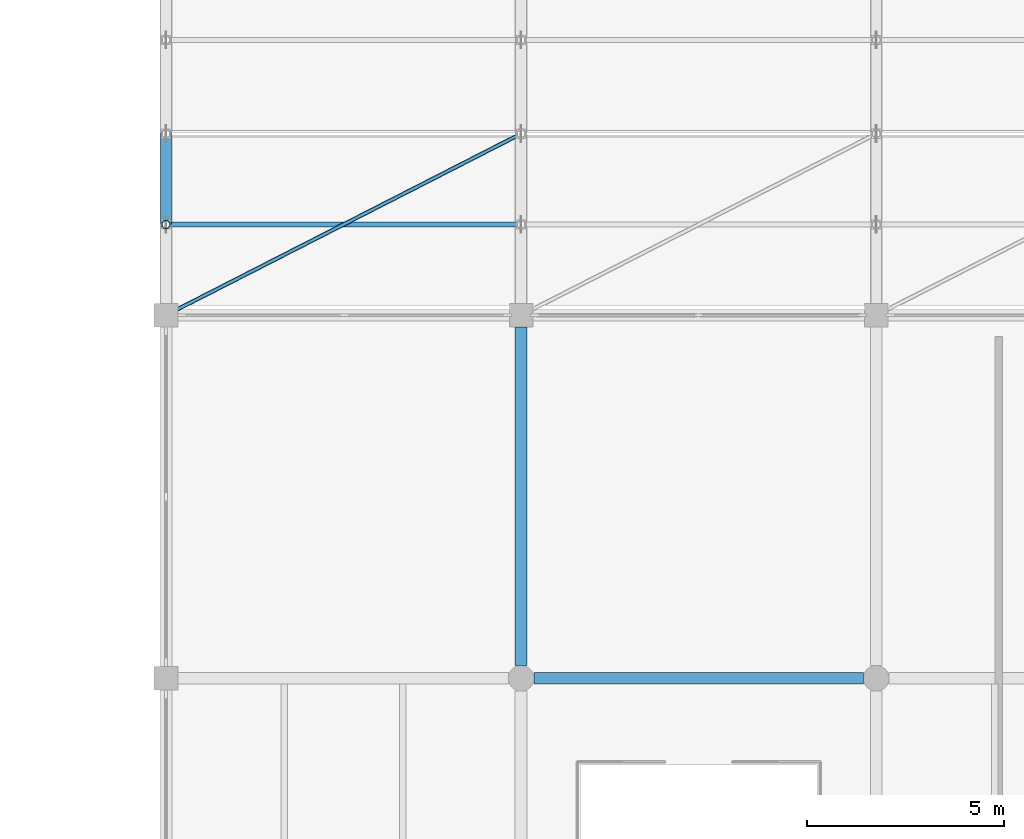
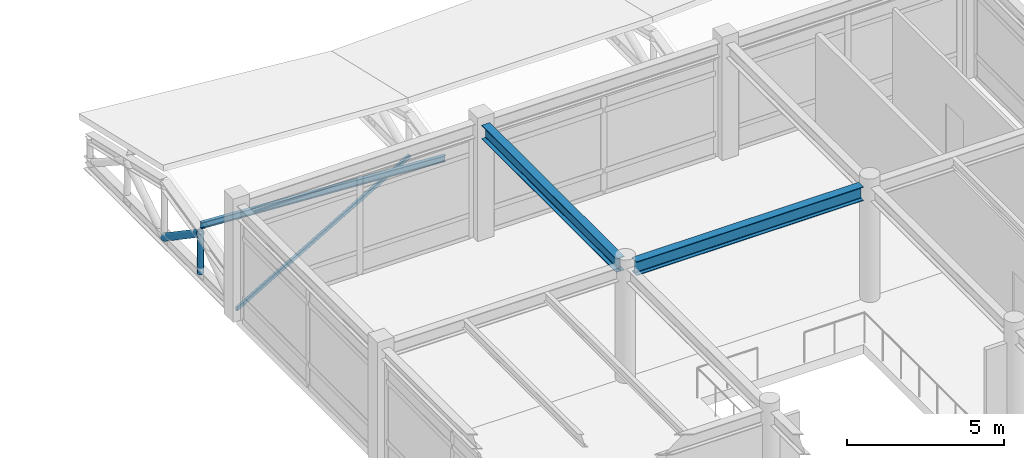
# One storey, part 24 of 61: 4 members, 2 beams.
"""IFC4 building model written with IfcOpenShell, lengths in metres."""

from ifc_helpers import new_model, si_unit, direction, frame, origin, origin_2d, place, context, subcontext, project, spatial, hollow_rectangle, hollow_circle, i_section, extrude, material, material_profile, profile_set, type_object, element, save


model = new_model("IFC4")

# Units and contexts
model_context = context("Model", 3, precision=1e-05, world=origin(), true_north=direction((0.0, 1.0)))
body_context = subcontext(model_context, "Body", "Model", "MODEL_VIEW")
ifc_project = project(units=[si_unit("LENGTHUNIT", "METRE"), si_unit("AREAUNIT", "SQUARE_METRE"), si_unit("VOLUMEUNIT", "CUBIC_METRE"), si_unit("PLANEANGLEUNIT", "RADIAN"), si_unit("MASSUNIT", "GRAM", prefix="KILO")], contexts=[model_context])

# Site, building, storey
site_placement = place(None, origin())
site = spatial("IfcSite", under=ifc_project, at=site_placement, CompositionType="ELEMENT")
building_placement = place(site_placement, origin())
building = spatial("IfcBuilding", under=site, at=building_placement, Name="Bozkorgan Art Gallery", CompositionType="ELEMENT")
storey_placement = place(building_placement, frame((0.0, 0.0, 10.199951171875)))
storey = spatial("IfcBuildingStorey", under=building, at=storey_placement, Name="L02", CompositionType="ELEMENT", Elevation=10.199951171875)

# Beams
ifc_material = material(Name="Steel S355J2", Category="steel")
ifc_material_profile_1 = material_profile(ifc_material, i_section(OverallWidth=0.300048828125, OverallDepth=0.5400390625, WebThickness=0.012451171875, FlangeThickness=0.02392578125, FilletRadius=0.027099609375, at=origin_2d()), Name="HEA 550")
ifc_profile_set_1 = profile_set([ifc_material_profile_1], Name="Steel S355J2")
beam_type = type_object("IfcBeamType", Name="BEAM-BM-35", PredefinedType="BEAM", material=ifc_profile_set_1)
beam_1_placement = place(storey_placement, frame((83.324951171875, 84.39990234375, 4.2099609375), z_axis=(1.0, 0.0, 0.0), x_axis=(0.0, 1.0, 0.0)))
element("IfcBeam", 1, at=beam_1_placement, inside=storey, type_object=beam_type, Name="V4 L02 beam X (83-92, 84.4)", PredefinedType="BEAM", context=body_context, shape_type="SweptSolid", body=[
    extrude(i_section(OverallWidth=0.300048828125, OverallDepth=0.5400390625, WebThickness=0.012451171875, FlangeThickness=0.02392578125, FilletRadius=0.027099609375, at=origin_2d()), origin(), (0.0, 0.0, 1.0), 8.35009765625),
])
beam_2_placement = place(storey_placement, frame((83.0, 84.72509765625, 4.2099609375), z_axis=(0.0, 1.0, 0.0), x_axis=(-1.0, 0.0, 0.0)))
element("IfcBeam", 2, at=beam_2_placement, inside=storey, type_object=beam_type, Name="V4 L02 beam Y (83, 84.4-93.6)", PredefinedType="BEAM", context=body_context, shape_type="SweptSolid", body=[
    extrude(i_section(OverallWidth=0.300048828125, OverallDepth=0.5400390625, WebThickness=0.012451171875, FlangeThickness=0.02392578125, FilletRadius=0.027099609375, at=origin_2d()), origin(), (0.0, 0.0, 1.0), 8.574951171875),
])

# Members
ifc_material_profile_2 = material_profile(ifc_material, i_section(OverallWidth=0.1201171875, OverallDepth=0.239990234375, WebThickness=0.006103515625, FlangeThickness=0.009765625, FilletRadius=0.014892578125, at=origin_2d()), Name="IPE 240")
ifc_profile_set_2 = profile_set([ifc_material_profile_2], Name="Steel S355J2")
member_type_1 = type_object("IfcMemberType", Name="MEMBER-PR-34", PredefinedType="PURLIN", material=ifc_profile_set_2)
member_1_placement = place(storey_placement, frame((74.0, 95.89990234375, 2.111328125), z_axis=(0.998287793766, 0.0, -0.058493425416), x_axis=(0.0, 1.0, 0.0)))
element("IfcMember", 3, at=member_1_placement, inside=storey, type_object=member_type_1, Name="ROOF-V4-STEP2 roof purlin 1S", PredefinedType="PURLIN", context=body_context, shape_type="SweptSolid", body=[
    extrude(i_section(OverallWidth=0.1201171875, OverallDepth=0.239990234375, WebThickness=0.006103515625, FlangeThickness=0.009765625, FilletRadius=0.014892578125, at=origin_2d()), origin(), (0.0, 0.0, 1.0), 9.015380859375),
])
ifc_material_profile_3 = material_profile(ifc_material, hollow_circle(Radius=0.109619140625, WallThickness=0.010009765625, at=origin_2d()), Name="CHS 219.1x10")
ifc_profile_set_3 = profile_set([ifc_material_profile_3], Name="Steel S355J2")
member_type_2 = type_object("IfcMemberType", Name="MEMBER-TP-78", PredefinedType="POST", material=ifc_profile_set_3)
member_2_placement = place(storey_placement, frame((74.0, 95.89990234375, 0.25), z_axis=(0.0, 0.0, 1.0), x_axis=(1.0, 0.0, 0.0)))
element("IfcMember", 4, at=member_2_placement, inside=storey, type_object=member_type_2, Name="ROOF-V4-STEP2 roof truss 1 post 1", PredefinedType="POST", context=body_context, shape_type="SweptSolid", body=[
    extrude(hollow_circle(Radius=0.109619140625, WallThickness=0.010009765625, at=origin_2d()), origin(), (0.0, 0.0, 1.0), 1.56640625),
])
ifc_material_profile_4 = material_profile(ifc_material, hollow_circle(Radius=0.136474609375, WallThickness=0.012451171875, at=origin_2d()), Name="CHS 273x12.5")
ifc_profile_set_4 = profile_set([ifc_material_profile_4], Name="Steel S355J2")
member_type_3 = type_object("IfcMemberType", Name="MEMBER-TW-28", PredefinedType="BRACE", material=ifc_profile_set_4)
member_3_placement = place(storey_placement, frame((74.0, 95.89990234375, 1.81640625), z_axis=(0.0, 0.826529771538, -0.562893006495), x_axis=(-1.0, 0.0, 0.0)))
element("IfcMember", 5, at=member_3_placement, inside=storey, type_object=member_type_3, Name="ROOF-V4-STEP2 roof truss 1 diagonal 2", PredefinedType="BRACE", context=body_context, shape_type="SweptSolid", body=[
    extrude(hollow_circle(Radius=0.136474609375, WallThickness=0.012451171875, at=origin_2d()), origin(), (0.0, 0.0, 1.0), 2.78271484375),
])
ifc_material_profile_5 = material_profile(ifc_material, hollow_rectangle(XDim=0.10009765625, YDim=0.14990234375, WallThickness=0.008056640625, InnerFilletRadius=0.011962890625, OuterFilletRadius=0.02001953125, at=origin_2d()), Name="RHS 150x100x8")
ifc_profile_set_5 = profile_set([ifc_material_profile_5], Name="Steel S355J2")
member_type_4 = type_object("IfcMemberType", Name="MEMBER-WB-10", PredefinedType="BRACE", material=ifc_profile_set_5)
member_4_placement = place(storey_placement, frame((74.0, 93.60009765625, 0.25), z_axis=(0.8904405553, 0.45509956875, 0.0), x_axis=(-0.45509956875, 0.8904405553, 0.0)))
element("IfcMember", 6, at=member_4_placement, inside=storey, type_object=member_type_4, Name="ROOF-V4-STEP2 roof diaphragm wind brace 1", PredefinedType="BRACE", context=body_context, shape_type="SweptSolid", body=[
    extrude(hollow_rectangle(XDim=0.10009765625, YDim=0.14990234375, WallThickness=0.008056640625, InnerFilletRadius=0.011962890625, OuterFilletRadius=0.02001953125, at=origin_2d()), origin(), (0.0, 0.0, 1.0), 10.107421875),
])

save(model, "model.ifc")
